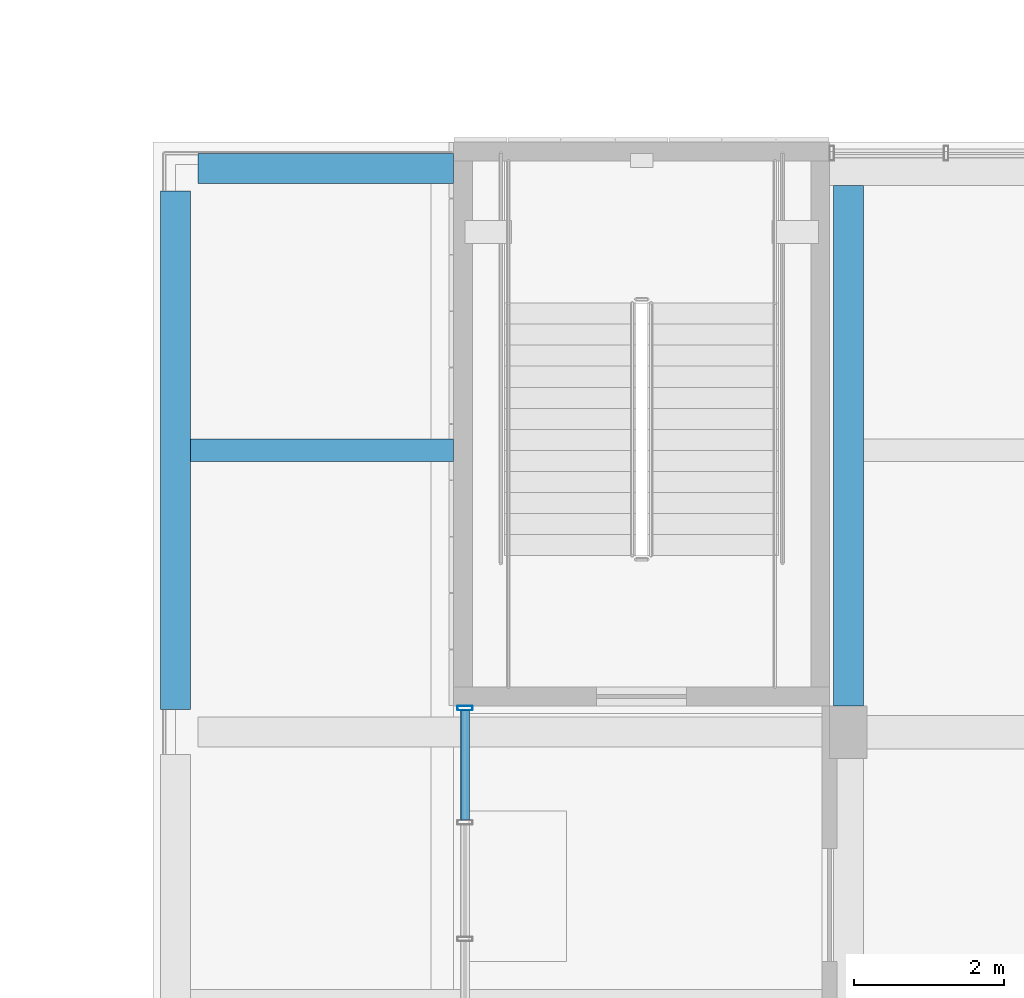
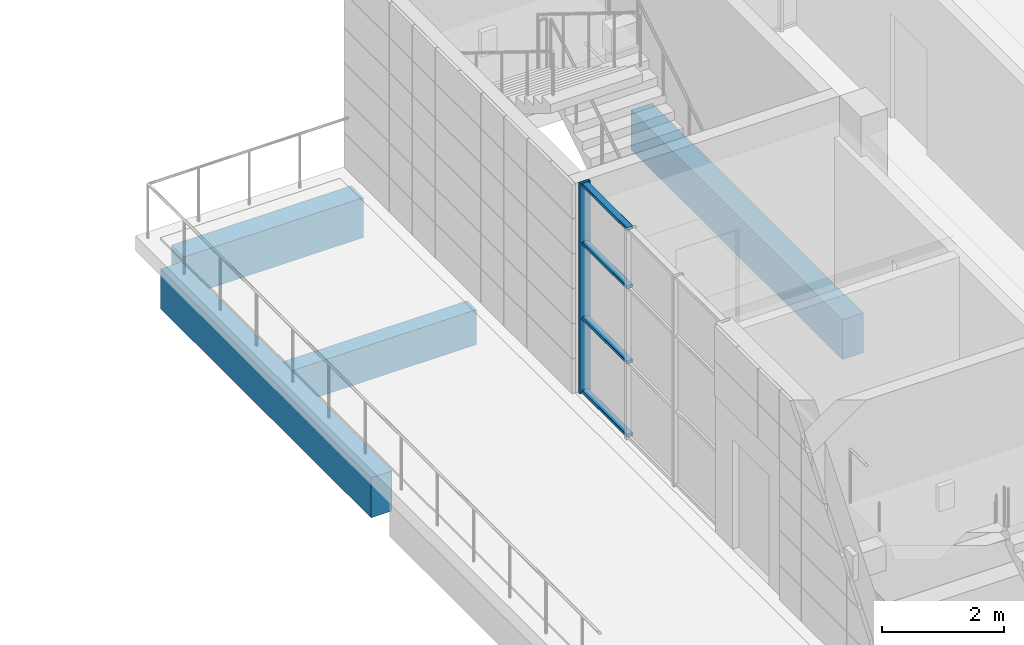
# One storey, part 13 of 36: 5 members, 4 beams, 1 element without a shape of its own.
"""IFC4 building model written with IfcOpenShell, lengths in metres."""

import ifcopenshell
import ifcopenshell.guid

model = None  # the IFC model being written
_history = None  # IfcOwnerHistory: only IFC2X3 demands one
_inside = {}  # id of a spatial element -> (the spatial element, [elements in it])
_under = {}  # id of a project, library or spatial element -> (it, [spatial elements below it])
_declared = {}  # id of a project -> (the project, [libraries it declares])
_typed = {}  # id of a type object -> (the type object, [elements of that type])
_made_of = {}  # id of a material, layer set ... -> (it, [elements and type objects made of it])


def new_model(schema):
    """Start an empty IFC model of exactly this schema.

    Asked for "IFC4X3", IfcOpenShell would pick the latest addendum, in which some entities
    have other attributes; the version numbers below select the first issue.
    IFC2X3 requires an IfcOwnerHistory on every rooted entity: one is made here for all.
    """
    global model, _history
    if schema == "IFC4X3":
        model = ifcopenshell.file(schema_version=(4, 3, 0, 0))
    else:
        model = ifcopenshell.file(schema=schema)
    _inside.clear()
    _under.clear()
    _declared.clear()
    _typed.clear()
    _made_of.clear()
    _history = None
    if model.schema == "IFC2X3":
        org = make("IfcOrganization", Name="unknown")
        user = make(
            "IfcPersonAndOrganization",
            ThePerson=make("IfcPerson", FamilyName="unknown"),
            TheOrganization=org,
        )
        app = make(
            "IfcApplication",
            ApplicationDeveloper=org,
            Version="unknown",
            ApplicationFullName="unknown",
            ApplicationIdentifier="unknown",
        )
        _history = make(
            "IfcOwnerHistory",
            OwningUser=user,
            OwningApplication=app,
            ChangeAction="ADDED",
            CreationDate=0,
        )
    return model


def make(cls, **values):
    """One entity of the class cls with the attributes given. An attribute that is None is left unset."""
    return model.create_entity(
        cls, **{name: value for name, value in values.items() if value is not None}
    )


def rooted(cls, **values):
    """An entity with a GlobalId (a new one), such as an element, a storey or a relation."""
    return make(cls, GlobalId=ifcopenshell.guid.new(), OwnerHistory=_history, **values)


def si_unit(unit_type, name, prefix=None):
    """IfcSIUnit, for example si_unit("LENGTHUNIT", "METRE", prefix="MILLI")."""
    return make("IfcSIUnit", UnitType=unit_type, Prefix=prefix, Name=name)


def assignment(units):
    """IfcUnitAssignment: the units of a project."""
    return None if units is None else make("IfcUnitAssignment", Units=units)


def point(xyz):
    """IfcCartesianPoint."""
    return None if xyz is None else make("IfcCartesianPoint", Coordinates=xyz)


def direction(xyz):
    """IfcDirection."""
    return None if xyz is None else make("IfcDirection", DirectionRatios=xyz)


def frame(location, z_axis=None, x_axis=None):
    """IfcAxis2Placement3D, a coordinate frame: its origin and axes. An axis left out is left unset."""
    return make(
        "IfcAxis2Placement3D",
        Location=point(location),
        Axis=direction(z_axis),
        RefDirection=direction(x_axis),
    )


def frame_2d(location, x_axis=None):
    """IfcAxis2Placement2D, a coordinate frame in the plane: its origin and x axis."""
    return make(
        "IfcAxis2Placement2D", Location=point(location), RefDirection=direction(x_axis)
    )


def origin():
    """The frame at (0, 0, 0) with its axes left unset."""
    return frame((0.0, 0.0, 0.0))


def origin_2d():
    """The frame at (0, 0) in the plane with its x axis left unset."""
    return frame_2d((0.0, 0.0))


def place(relative_to, where):
    """IfcLocalPlacement: puts the frame where relative to a parent placement (None: the world)."""
    return make(
        "IfcLocalPlacement", PlacementRelTo=relative_to, RelativePlacement=where
    )


def context(
    kind, dimensions, precision=None, world=None, true_north=None, identifier=None
):
    """IfcGeometricRepresentationContext, for example the 3D "Model" context."""
    return make(
        "IfcGeometricRepresentationContext",
        ContextIdentifier=identifier,
        ContextType=kind,
        CoordinateSpaceDimension=dimensions,
        Precision=precision,
        WorldCoordinateSystem=world,
        TrueNorth=true_north,
    )


def subcontext(parent, identifier, kind, view, scale=None):
    """IfcGeometricRepresentationSubContext, for example "Body" below "Model"."""
    return make(
        "IfcGeometricRepresentationSubContext",
        ContextIdentifier=identifier,
        ContextType=kind,
        ParentContext=parent,
        TargetScale=scale,
        TargetView=view,
    )


def project(units=None, contexts=None):
    """IfcProject with its units and contexts."""
    return rooted(
        "IfcProject",
        Name="project",
        RepresentationContexts=contexts,
        UnitsInContext=assignment(units),
    )


def spatial(cls, under=None, at=None, **own):
    """A site, building, storey or space (cls), placed at a placement, below another one or the project."""
    s = rooted(cls, ObjectPlacement=at, **own)
    if under is not None:
        _under.setdefault(under.id(), (under, []))[1].append(s)
    return s


def profile(cls, at=None, kind="AREA", **sizes):
    """A parametric profile (cls). Its sizes go by their IFC names, for example OverallWidth=200.0."""
    return make(cls, ProfileType=kind, Position=at, **sizes)


def rectangle(**sizes):
    """IfcRectangleProfileDef."""
    return profile("IfcRectangleProfileDef", **sizes)


def hollow_rectangle(**sizes):
    """IfcRectangleHollowProfileDef."""
    return profile("IfcRectangleHollowProfileDef", **sizes)


def extrude(swept, where, along, depth):
    """IfcExtrudedAreaSolid: the profile swept, set in the frame where, extruded along a direction by depth."""
    return make(
        "IfcExtrudedAreaSolid",
        SweptArea=swept,
        Position=where,
        ExtrudedDirection=direction(along),
        Depth=depth,
    )


def shape(context_of_items, identifier, shape_type, items):
    """IfcShapeRepresentation: the items that make up one representation, for example the "Body"."""
    return make(
        "IfcShapeRepresentation",
        ContextOfItems=context_of_items,
        RepresentationIdentifier=identifier,
        RepresentationType=shape_type,
        Items=items,
    )


def material(Name=None, Category=None):
    """IfcMaterial."""
    return make("IfcMaterial", Name=Name, Category=Category)


def material_profile(
    of_material, cross_section, Name=None, Category=None, Priority=None
):
    """IfcMaterialProfile: a cross section and its material."""
    return make(
        "IfcMaterialProfile",
        Name=Name,
        Material=of_material,
        Profile=cross_section,
        Priority=Priority,
        Category=Category,
    )


def profile_set(profiles, Name=None, composite=None):
    """IfcMaterialProfileSet."""
    return make(
        "IfcMaterialProfileSet",
        Name=Name,
        MaterialProfiles=profiles,
        CompositeProfile=composite,
    )


def made_of(thing, what):
    """Note that an element or type object is made of a material, layer set ...; save() writes the relation."""
    if what is not None:
        _made_of.setdefault(what.id(), (what, []))[1].append(thing)
    return thing


def type_object(cls, material=None, **own):
    """A type object (cls), such as IfcWallType, which elements share."""
    return made_of(rooted(cls, **own), material)


def element(
    cls,
    number,
    at=None,
    inside=None,
    cuts=None,
    type_object=None,
    material=None,
    context=None,
    identifier="Body",
    shape_type=None,
    held_by="IfcProductDefinitionShape",
    body=None,
    shapes=None,
    **own,
):
    """One element of the class cls, such as IfcWall. Its Tag is "e" and its number.

    at: its placement. inside: the storey or other place that contains it. cuts: it is an
    opening in that element (IfcRelVoidsElement). A single representation is given by context,
    identifier, shape_type and body (its items); several are given by shapes. held_by: the class
    of the entity that holds the representations. save() writes the other relations.
    """
    e = rooted(cls, Tag="e%d" % number, ObjectPlacement=at, **own)
    if body is not None:
        shapes = [shape(context, identifier, shape_type, body)]
    if shapes is not None:
        e.Representation = make(held_by, Representations=shapes)
    if inside is not None:
        _inside.setdefault(inside.id(), (inside, []))[1].append(e)
    if cuts is not None:
        rooted(
            "IfcRelVoidsElement", RelatingBuildingElement=cuts, RelatedOpeningElement=e
        )
    if type_object is not None:
        _typed.setdefault(type_object.id(), (type_object, []))[1].append(e)
    return made_of(e, material)


def aggregate(whole, parts):
    """IfcRelAggregates: a whole, such as a stair, and the parts it consists of."""
    return rooted("IfcRelAggregates", RelatingObject=whole, RelatedObjects=parts)


def save(model, path):
    """Write the relations noted so far, then the file.

    IfcRelAggregates (storeys below a building ...), IfcRelContainedInSpatialStructure (elements
    in a storey), IfcRelDefinesByType, IfcRelAssociatesMaterial and IfcRelDeclares: one each for
    every whole, place, type object, material and project.
    """
    for whole, parts in _under.values():
        aggregate(whole, parts)
    for where, things in _inside.values():
        rooted(
            "IfcRelContainedInSpatialStructure",
            RelatedElements=things,
            RelatingStructure=where,
        )
    for kind, things in _typed.values():
        rooted("IfcRelDefinesByType", RelatedObjects=things, RelatingType=kind)
    for what, things in _made_of.values():
        rooted("IfcRelAssociatesMaterial", RelatedObjects=things, RelatingMaterial=what)
    for by, libraries in _declared.values():
        rooted("IfcRelDeclares", RelatingContext=by, RelatedDefinitions=libraries)
    model.write(path)


model = new_model("IFC4")

# Units and contexts
model_context = context("Model", 3, precision=1e-05, world=origin(), true_north=direction((0.0, 1.0)))
body_context = subcontext(model_context, "Body", "Model", "MODEL_VIEW")
ifc_project = project(units=[si_unit("LENGTHUNIT", "METRE"), si_unit("AREAUNIT", "SQUARE_METRE"), si_unit("VOLUMEUNIT", "CUBIC_METRE"), si_unit("PLANEANGLEUNIT", "RADIAN"), si_unit("MASSUNIT", "GRAM", prefix="KILO")], contexts=[model_context])

# Site, building, storey
site_placement = place(None, origin())
site = spatial("IfcSite", under=ifc_project, at=site_placement, CompositionType="ELEMENT")
building_placement = place(site_placement, origin())
building = spatial("IfcBuilding", under=site, at=building_placement, Name="Sun Court Science Centre", CompositionType="ELEMENT")
storey_placement = place(building_placement, frame((0.0, 0.0, 24.75)))
storey = spatial("IfcBuildingStorey", under=building, at=storey_placement, Name="L05", CompositionType="ELEMENT", Elevation=24.75)

# Curtain wall, members
ifc_material_1 = material(Name="Aluminium EN AW-6063 T6", Category="aluminium")
curtain_wall_type = type_object("IfcCurtainWallType", Name="Laboratory tall bay curtain wall 1500", PredefinedType="NOTDEFINED", material=ifc_material_1)
curtain_wall_placement = place(storey_placement, origin())
curtain_wall = element("IfcCurtainWall", 1, at=curtain_wall_placement, inside=storey, type_object=curtain_wall_type, Name="Curtain wall V4 W5 L05 03", PredefinedType="NOTDEFINED")
ifc_material_2 = material(Name="Aluminium EN AW-6063 T6", Category="aluminium")
ifc_material_profile_1 = material_profile(ifc_material_2, hollow_rectangle(XDim=0.06005859375, YDim=0.199951171875, WallThickness=0.0048828125, InnerFilletRadius=0.0048828125, OuterFilletRadius=0.007568359375, at=origin_2d()), Name="AL 60x200x5")
ifc_profile_set_1 = profile_set([ifc_material_profile_1], Name="Aluminium EN AW-6063 T6")
member_type_1 = type_object("IfcMemberType", Name="Curtain wall mullion AL 60x200", PredefinedType="MULLION", material=ifc_profile_set_1)
member_1_placement = place(storey_placement, frame((82.14990234375, 73.469970703125, 0.0), z_axis=(0.0, 0.0, 1.0), x_axis=(0.0, 1.0, 0.0)))
member_1 = element("IfcMember", 2, at=member_1_placement, type_object=member_type_1, Name="CW2-46 mullion 4", PredefinedType="MULLION", context=body_context, shape_type="SweptSolid", body=[
    extrude(hollow_rectangle(XDim=0.06005859375, YDim=0.199951171875, WallThickness=0.0048828125, InnerFilletRadius=0.0048828125, OuterFilletRadius=0.007568359375, at=origin_2d()), origin(), (0.0, 0.0, 1.0), 4.199951171875),
])
ifc_material_3 = material(Name="Aluminium EN AW-6063 T6", Category="aluminium")
ifc_material_profile_2 = material_profile(ifc_material_3, hollow_rectangle(XDim=0.06005859375, YDim=0.1201171875, WallThickness=0.00390625, InnerFilletRadius=0.00390625, OuterFilletRadius=0.006103515625, at=origin_2d()), Name="AL 60x120x4")
ifc_profile_set_2 = profile_set([ifc_material_profile_2], Name="Aluminium EN AW-6063 T6")
member_type_2 = type_object("IfcMemberType", Name="Curtain wall transom AL 60x120", PredefinedType="USERDEFINED", material=ifc_profile_set_2)
member_2_placement = place(storey_placement, frame((82.14990234375, 71.97998046875, 0.030029296875), z_axis=(0.0, 1.0, 0.0), x_axis=(0.0, 0.0, 1.0)))
member_2 = element("IfcMember", 3, at=member_2_placement, type_object=member_type_2, Name="CW2-46 transom 3.1", ObjectType="TRANSOM", PredefinedType="USERDEFINED", context=body_context, shape_type="SweptSolid", body=[
    extrude(hollow_rectangle(XDim=0.06005859375, YDim=0.1201171875, WallThickness=0.00390625, InnerFilletRadius=0.00390625, OuterFilletRadius=0.006103515625, at=origin_2d()), origin(), (0.0, 0.0, 1.0), 1.4599609375),
])
member_3_placement = place(storey_placement, frame((82.14990234375, 71.97998046875, 1.5), z_axis=(0.0, 1.0, 0.0), x_axis=(0.0, 0.0, 1.0)))
member_3 = element("IfcMember", 4, at=member_3_placement, type_object=member_type_2, Name="CW2-46 transom 3.2", ObjectType="TRANSOM", PredefinedType="USERDEFINED", context=body_context, shape_type="SweptSolid", body=[
    extrude(hollow_rectangle(XDim=0.06005859375, YDim=0.1201171875, WallThickness=0.00390625, InnerFilletRadius=0.00390625, OuterFilletRadius=0.006103515625, at=origin_2d()), origin(), (0.0, 0.0, 1.0), 1.4599609375),
])
member_4_placement = place(storey_placement, frame((82.14990234375, 71.97998046875, 3.0), z_axis=(0.0, 1.0, 0.0), x_axis=(0.0, 0.0, 1.0)))
member_4 = element("IfcMember", 5, at=member_4_placement, type_object=member_type_2, Name="CW2-46 transom 3.3", ObjectType="TRANSOM", PredefinedType="USERDEFINED", context=body_context, shape_type="SweptSolid", body=[
    extrude(hollow_rectangle(XDim=0.06005859375, YDim=0.1201171875, WallThickness=0.00390625, InnerFilletRadius=0.00390625, OuterFilletRadius=0.006103515625, at=origin_2d()), origin(), (0.0, 0.0, 1.0), 1.4599609375),
])
member_5_placement = place(storey_placement, frame((82.14990234375, 71.97998046875, 4.169921875), z_axis=(0.0, 1.0, 0.0), x_axis=(0.0, 0.0, 1.0)))
member_5 = element("IfcMember", 6, at=member_5_placement, type_object=member_type_2, Name="CW2-46 transom 3.4", ObjectType="TRANSOM", PredefinedType="USERDEFINED", context=body_context, shape_type="SweptSolid", body=[
    extrude(hollow_rectangle(XDim=0.06005859375, YDim=0.1201171875, WallThickness=0.00390625, InnerFilletRadius=0.00390625, OuterFilletRadius=0.006103515625, at=origin_2d()), origin(), (0.0, 0.0, 1.0), 1.4599609375),
])
aggregate(curtain_wall, [member_1, member_2, member_3, member_4, member_5])

# Beams
ifc_material_4 = material(Name="Concrete C25/30", Category="concrete")
ifc_material_profile_3 = material_profile(ifc_material_4, rectangle(XDim=0.39990234375, YDim=0.800048828125, at=origin_2d()), Name="RC 400x800")
ifc_profile_set_3 = profile_set([ifc_material_profile_3], Name="Concrete C25/30")
beam_type_1 = type_object("IfcBeamType", Name="RC girder 400x800", PredefinedType="BEAM", material=ifc_profile_set_3)
beam_1_placement = place(storey_placement, frame((78.60009765625, 80.64990234375, -0.699951171875), z_axis=(1.0, 0.0, 0.0), x_axis=(0.0, 1.0, 0.0)))
element("IfcBeam", 7, at=beam_1_placement, inside=storey, type_object=beam_type_1, Name="Girder L05 row 8", PredefinedType="BEAM", context=body_context, shape_type="SweptSolid", body=[
    extrude(rectangle(XDim=0.39990234375, YDim=0.800048828125, at=origin_2d()), origin(), (0.0, 0.0, 1.0), 3.39990234375),
])
beam_2_placement = place(storey_placement, frame((78.300048828125, 73.449951171875, -0.699951171875), z_axis=(0.0, 1.0, 0.0), x_axis=(-1.0, 0.0, 0.0)))
element("IfcBeam", 8, at=beam_2_placement, inside=storey, type_object=beam_type_1, Name="Girder L05 line 1", PredefinedType="BEAM", context=body_context, shape_type="SweptSolid", body=[
    extrude(rectangle(XDim=0.39990234375, YDim=0.800048828125, at=origin_2d()), origin(), (0.0, 0.0, 1.0), 6.900146484375),
])
beam_3_placement = place(storey_placement, frame((87.25, 73.5, -0.699951171875), z_axis=(0.0, 1.0, 0.0), x_axis=(-1.0, 0.0, 0.0)))
element("IfcBeam", 9, at=beam_3_placement, inside=storey, type_object=beam_type_1, Name="Girder L05 line 2", PredefinedType="BEAM", context=body_context, shape_type="SweptSolid", body=[
    extrude(rectangle(XDim=0.39990234375, YDim=0.800048828125, at=origin_2d()), origin(), (0.0, 0.0, 1.0), 6.925048828125),
])
ifc_material_5 = material(Name="Concrete C25/30", Category="concrete")
ifc_material_profile_4 = material_profile(ifc_material_5, rectangle(XDim=0.300048828125, YDim=0.699951171875, at=origin_2d()), Name="RC 300x700")
ifc_profile_set_4 = profile_set([ifc_material_profile_4], Name="Concrete C25/30")
beam_type_2 = type_object("IfcBeamType", Name="RC joist 300x700", PredefinedType="JOIST", material=ifc_profile_set_4)
beam_4_placement = place(storey_placement, frame((78.5, 76.89990234375, -0.64990234375), z_axis=(1.0, 0.0, 0.0), x_axis=(0.0, 1.0, 0.0)))
element("IfcBeam", 10, at=beam_4_placement, inside=storey, type_object=beam_type_2, Name="Joist L05", PredefinedType="JOIST", context=body_context, shape_type="SweptSolid", body=[
    extrude(rectangle(XDim=0.300048828125, YDim=0.699951171875, at=origin_2d()), origin(), (0.0, 0.0, 1.0), 3.5),
])

save(model, "model.ifc")
